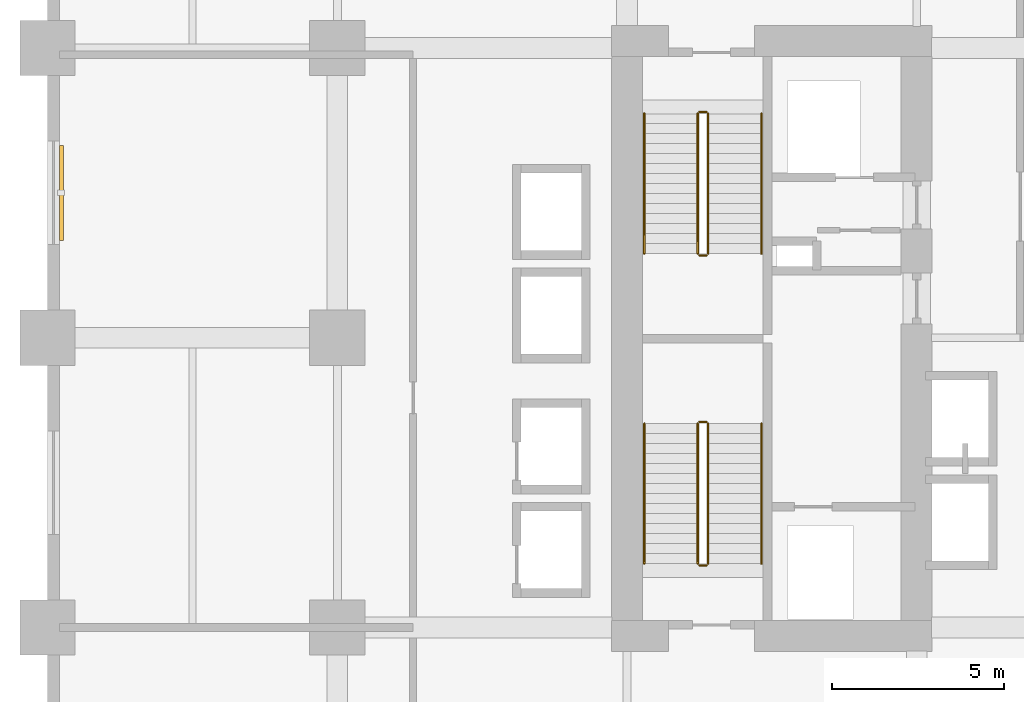
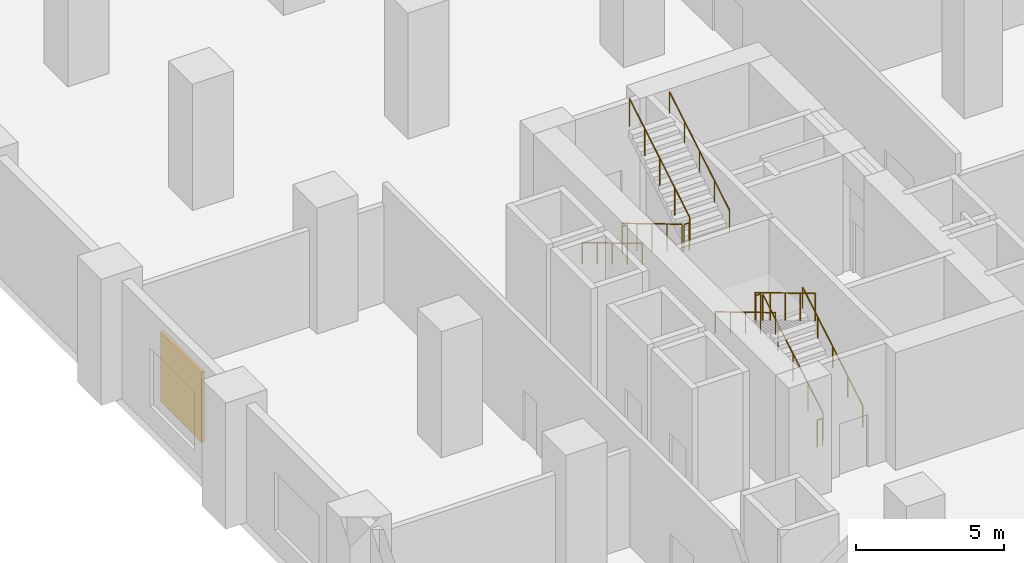
# One storey, part 18 of 19: 12 railings, 1 shading device.
"""IFC4 building model written with IfcOpenShell, lengths in metres."""

from ifc_helpers import new_model, si_unit, direction, frame, origin, origin_2d, place, context, subcontext, project, spatial, rectangle, circle, extrude, material, layer, layer_set, type_object, element, save


model = new_model("IFC4")

# Units and contexts
model_context = context("Model", 3, precision=1e-05, world=origin(), true_north=direction((0.0, 1.0)))
body_context = subcontext(model_context, "Body", "Model", "MODEL_VIEW")
ifc_project = project(units=[si_unit("LENGTHUNIT", "METRE"), si_unit("AREAUNIT", "SQUARE_METRE"), si_unit("VOLUMEUNIT", "CUBIC_METRE"), si_unit("PLANEANGLEUNIT", "RADIAN"), si_unit("MASSUNIT", "GRAM", prefix="KILO")], contexts=[model_context])

# Site, building, storey
site_placement = place(None, origin())
site = spatial("IfcSite", under=ifc_project, at=site_placement, CompositionType="ELEMENT")
building_placement = place(site_placement, origin())
building = spatial("IfcBuilding", under=site, at=building_placement, Name="Koriwani Terraces Tower", CompositionType="ELEMENT")
storey_placement = place(building_placement, frame((0.0, 0.0, 15.60009765625)))
storey = spatial("IfcBuildingStorey", under=building, at=storey_placement, Name="L03", CompositionType="ELEMENT", Elevation=15.60009765625)

# Railings
ifc_material_1 = material(Name="Steel ASTM A572 Grade 50", Category="steel")
railing_type_1 = type_object("IfcRailingType", Name="GUARD_STAIR_WELL_1120", PredefinedType="GUARDRAIL", material=ifc_material_1)
railing_1_placement = place(storey_placement, frame((19.14990234375, 43.85009765625, 0.17333984375)))
element("IfcRailing", 1, at=railing_1_placement, inside=storey, type_object=railing_type_1, Name="L03 ST-W1 stair guard 1", PredefinedType="GUARDRAIL", context=body_context, shape_type="SweptSolid", body=[
    extrude(circle(Radius=0.02392578125, at=origin_2d()), frame((0.0, 0.0, 1.1259765625), z_axis=(0.0, 0.858366167383, 0.513037545109), x_axis=(-1.0, 0.0, 0.0)), (0.0, 0.0, 1.0), 4.729736328125),
    extrude(circle(Radius=0.02099609375, at=origin_2d()), origin(), (0.0, 0.0, 1.0), 1.101806640625),
    extrude(circle(Radius=0.02099609375, at=origin_2d()), frame((0.0, 1.014892578125, 0.606689453125)), (0.0, 0.0, 1.0), 1.101806640625),
    extrude(circle(Radius=0.02099609375, at=origin_2d()), frame((0.0, 2.02978515625, 1.21337890625)), (0.0, 0.0, 1.0), 1.101806640625),
    extrude(circle(Radius=0.02099609375, at=origin_2d()), frame((0.0, 3.044921875, 1.81982421875)), (0.0, 0.0, 1.0), 1.101806640625),
    extrude(circle(Radius=0.02099609375, at=origin_2d()), frame((0.0, 4.059814453125, 2.426513671875)), (0.0, 0.0, 1.0), 1.101806640625),
])
railing_2_placement = place(storey_placement, frame((19.10009765625, 47.9599609375, 2.599853515625)))
element("IfcRailing", 2, at=railing_2_placement, inside=storey, type_object=railing_type_1, Name="L03 ST-W1 stair guard 2", PredefinedType="GUARDRAIL", context=body_context, shape_type="SweptSolid", body=[
    extrude(circle(Radius=0.02392578125, at=origin_2d()), frame((0.0, 0.0, 1.1259765625), z_axis=(-1.0, 0.0, 0.0), x_axis=(0.0, -1.0, 0.0)), (0.0, 0.0, 1.0), 0.2001953125),
    extrude(circle(Radius=0.02099609375, at=origin_2d()), origin(), (0.0, 0.0, 1.0), 1.101806640625),
    extrude(circle(Radius=0.02099609375, at=origin_2d()), frame((-0.2001953125, 0.0, 0.0)), (0.0, 0.0, 1.0), 1.101806640625),
])
railing_3_placement = place(storey_placement, frame((18.85009765625, 47.909912109375, 2.773193359375)))
element("IfcRailing", 3, at=railing_3_placement, inside=storey, type_object=railing_type_1, Name="L03 ST-W1 stair guard 3", PredefinedType="GUARDRAIL", context=body_context, shape_type="SweptSolid", body=[
    extrude(circle(Radius=0.02392578125, at=origin_2d()), frame((0.0, 0.0, 1.1259765625), z_axis=(0.0, -0.858343435637, 0.513075575815), x_axis=(1.0, 0.0, 0.0)), (0.0, 0.0, 1.0), 4.729736328125),
    extrude(circle(Radius=0.02099609375, at=origin_2d()), origin(), (0.0, 0.0, 1.0), 1.101806640625),
    extrude(circle(Radius=0.02099609375, at=origin_2d()), frame((0.0, -1.014892578125, 0.606689453125)), (0.0, 0.0, 1.0), 1.101806640625),
    extrude(circle(Radius=0.02099609375, at=origin_2d()), frame((0.0, -2.02978515625, 1.21337890625)), (0.0, 0.0, 1.0), 1.101806640625),
    extrude(circle(Radius=0.02099609375, at=origin_2d()), frame((0.0, -3.044921875, 1.820068359375)), (0.0, 0.0, 1.0), 1.101806640625),
    extrude(circle(Radius=0.02099609375, at=origin_2d()), frame((0.0, -4.059814453125, 2.4267578125)), (0.0, 0.0, 1.0), 1.101806640625),
])
railing_4_placement = place(storey_placement, frame((19.10009765625, 43.800048828125, 0.0)))
element("IfcRailing", 4, at=railing_4_placement, inside=storey, type_object=railing_type_1, Name="L03 ST-W1 stair guard 4", PredefinedType="GUARDRAIL", context=body_context, shape_type="SweptSolid", body=[
    extrude(circle(Radius=0.02392578125, at=origin_2d()), frame((0.0, 0.0, 1.1259765625), z_axis=(-1.0, 0.0, 0.0), x_axis=(0.0, -1.0, 0.0)), (0.0, 0.0, 1.0), 0.2001953125),
    extrude(circle(Radius=0.02099609375, at=origin_2d()), origin(), (0.0, 0.0, 1.0), 1.101806640625),
    extrude(circle(Radius=0.02099609375, at=origin_2d()), frame((-0.2001953125, 0.0, 0.0)), (0.0, 0.0, 1.0), 1.101806640625),
])
railing_5_placement = place(storey_placement, frame((18.85009765625, 56.89990234375, 0.17333984375)))
element("IfcRailing", 5, at=railing_5_placement, inside=storey, type_object=railing_type_1, Name="L03 ST-W2 stair guard 1", PredefinedType="GUARDRAIL", context=body_context, shape_type="SweptSolid", body=[
    extrude(circle(Radius=0.02392578125, at=origin_2d()), frame((0.0, 0.0, 1.1259765625), z_axis=(0.0, -0.858366167383, 0.513037545109), x_axis=(1.0, 0.0, 0.0)), (0.0, 0.0, 1.0), 4.729736328125),
    extrude(circle(Radius=0.02099609375, at=origin_2d()), origin(), (0.0, 0.0, 1.0), 1.101806640625),
    extrude(circle(Radius=0.02099609375, at=origin_2d()), frame((0.0, -1.014892578125, 0.606689453125)), (0.0, 0.0, 1.0), 1.101806640625),
    extrude(circle(Radius=0.02099609375, at=origin_2d()), frame((0.0, -2.02978515625, 1.21337890625)), (0.0, 0.0, 1.0), 1.101806640625),
    extrude(circle(Radius=0.02099609375, at=origin_2d()), frame((0.0, -3.044921875, 1.81982421875)), (0.0, 0.0, 1.0), 1.101806640625),
    extrude(circle(Radius=0.02099609375, at=origin_2d()), frame((0.0, -4.059814453125, 2.426513671875)), (0.0, 0.0, 1.0), 1.101806640625),
])
railing_6_placement = place(storey_placement, frame((18.89990234375, 52.7900390625, 2.599853515625)))
element("IfcRailing", 6, at=railing_6_placement, inside=storey, type_object=railing_type_1, Name="L03 ST-W2 stair guard 2", PredefinedType="GUARDRAIL", context=body_context, shape_type="SweptSolid", body=[
    extrude(circle(Radius=0.02392578125, at=origin_2d()), frame((0.0, 0.0, 1.1259765625), z_axis=(1.0, 0.0, 0.0), x_axis=(0.0, 1.0, 0.0)), (0.0, 0.0, 1.0), 0.2001953125),
    extrude(circle(Radius=0.02099609375, at=origin_2d()), origin(), (0.0, 0.0, 1.0), 1.101806640625),
    extrude(circle(Radius=0.02099609375, at=origin_2d()), frame((0.2001953125, 0.0, 0.0)), (0.0, 0.0, 1.0), 1.101806640625),
])
railing_7_placement = place(storey_placement, frame((19.14990234375, 52.840087890625, 2.773193359375)))
element("IfcRailing", 7, at=railing_7_placement, inside=storey, type_object=railing_type_1, Name="L03 ST-W2 stair guard 3", PredefinedType="GUARDRAIL", context=body_context, shape_type="SweptSolid", body=[
    extrude(circle(Radius=0.02392578125, at=origin_2d()), frame((0.0, 0.0, 1.1259765625), z_axis=(0.0, 0.858343435637, 0.513075575815), x_axis=(-1.0, 0.0, 0.0)), (0.0, 0.0, 1.0), 4.729736328125),
    extrude(circle(Radius=0.02099609375, at=origin_2d()), origin(), (0.0, 0.0, 1.0), 1.101806640625),
    extrude(circle(Radius=0.02099609375, at=origin_2d()), frame((0.0, 1.014892578125, 0.606689453125)), (0.0, 0.0, 1.0), 1.101806640625),
    extrude(circle(Radius=0.02099609375, at=origin_2d()), frame((0.0, 2.02978515625, 1.21337890625)), (0.0, 0.0, 1.0), 1.101806640625),
    extrude(circle(Radius=0.02099609375, at=origin_2d()), frame((0.0, 3.044921875, 1.820068359375)), (0.0, 0.0, 1.0), 1.101806640625),
    extrude(circle(Radius=0.02099609375, at=origin_2d()), frame((0.0, 4.059814453125, 2.4267578125)), (0.0, 0.0, 1.0), 1.101806640625),
])
railing_8_placement = place(storey_placement, frame((18.89990234375, 56.949951171875, 0.0)))
element("IfcRailing", 8, at=railing_8_placement, inside=storey, type_object=railing_type_1, Name="L03 ST-W2 stair guard 4", PredefinedType="GUARDRAIL", context=body_context, shape_type="SweptSolid", body=[
    extrude(circle(Radius=0.02392578125, at=origin_2d()), frame((0.0, 0.0, 1.1259765625), z_axis=(1.0, 0.0, 0.0), x_axis=(0.0, 1.0, 0.0)), (0.0, 0.0, 1.0), 0.2001953125),
    extrude(circle(Radius=0.02099609375, at=origin_2d()), origin(), (0.0, 0.0, 1.0), 1.101806640625),
    extrude(circle(Radius=0.02099609375, at=origin_2d()), frame((0.2001953125, 0.0, 0.0)), (0.0, 0.0, 1.0), 1.101806640625),
])
railing_type_2 = type_object("IfcRailingType", Name="HANDRAIL_STAIR_920", PredefinedType="HANDRAIL", material=ifc_material_1)
railing_9_placement = place(storey_placement, frame((20.699951171875, 43.85009765625, 0.17333984375)))
element("IfcRailing", 9, at=railing_9_placement, inside=storey, type_object=railing_type_2, Name="L03 ST-W1 stair handrail 1", PredefinedType="HANDRAIL", context=body_context, shape_type="SweptSolid", body=[
    extrude(circle(Radius=0.02392578125, at=origin_2d()), frame((0.0, 0.0, 0.8759765625), z_axis=(0.0, 0.858366167383, 0.513037545109), x_axis=(-1.0, 0.0, 0.0)), (0.0, 0.0, 1.0), 4.729736328125),
    extrude(circle(Radius=0.02099609375, at=origin_2d()), origin(), (0.0, 0.0, 1.0), 0.851806640625),
    extrude(circle(Radius=0.02099609375, at=origin_2d()), frame((0.0, 1.014892578125, 0.606689453125)), (0.0, 0.0, 1.0), 0.851806640625),
    extrude(circle(Radius=0.02099609375, at=origin_2d()), frame((0.0, 2.02978515625, 1.21337890625)), (0.0, 0.0, 1.0), 0.851806640625),
    extrude(circle(Radius=0.02099609375, at=origin_2d()), frame((0.0, 3.044921875, 1.81982421875)), (0.0, 0.0, 1.0), 0.851806640625),
    extrude(circle(Radius=0.02099609375, at=origin_2d()), frame((0.0, 4.059814453125, 2.426513671875)), (0.0, 0.0, 1.0), 0.851806640625),
])
railing_10_placement = place(storey_placement, frame((17.300048828125, 47.909912109375, 2.773193359375)))
element("IfcRailing", 10, at=railing_10_placement, inside=storey, type_object=railing_type_2, Name="L03 ST-W1 stair handrail 2", PredefinedType="HANDRAIL", context=body_context, shape_type="SweptSolid", body=[
    extrude(circle(Radius=0.02392578125, at=origin_2d()), frame((0.0, 0.0, 0.8759765625), z_axis=(0.0, -0.858343435637, 0.513075575815), x_axis=(1.0, 0.0, 0.0)), (0.0, 0.0, 1.0), 4.729736328125),
    extrude(circle(Radius=0.02099609375, at=origin_2d()), origin(), (0.0, 0.0, 1.0), 0.851806640625),
    extrude(circle(Radius=0.02099609375, at=origin_2d()), frame((0.0, -1.014892578125, 0.606689453125)), (0.0, 0.0, 1.0), 0.851806640625),
    extrude(circle(Radius=0.02099609375, at=origin_2d()), frame((0.0, -2.02978515625, 1.21337890625)), (0.0, 0.0, 1.0), 0.851806640625),
    extrude(circle(Radius=0.02099609375, at=origin_2d()), frame((0.0, -3.044921875, 1.820068359375)), (0.0, 0.0, 1.0), 0.851806640625),
    extrude(circle(Radius=0.02099609375, at=origin_2d()), frame((0.0, -4.059814453125, 2.4267578125)), (0.0, 0.0, 1.0), 0.851806640625),
])
railing_11_placement = place(storey_placement, frame((17.300048828125, 56.89990234375, 0.17333984375)))
element("IfcRailing", 11, at=railing_11_placement, inside=storey, type_object=railing_type_2, Name="L03 ST-W2 stair handrail 1", PredefinedType="HANDRAIL", context=body_context, shape_type="SweptSolid", body=[
    extrude(circle(Radius=0.02392578125, at=origin_2d()), frame((0.0, 0.0, 0.8759765625), z_axis=(0.0, -0.858366167383, 0.513037545109), x_axis=(1.0, 0.0, 0.0)), (0.0, 0.0, 1.0), 4.729736328125),
    extrude(circle(Radius=0.02099609375, at=origin_2d()), origin(), (0.0, 0.0, 1.0), 0.851806640625),
    extrude(circle(Radius=0.02099609375, at=origin_2d()), frame((0.0, -1.014892578125, 0.606689453125)), (0.0, 0.0, 1.0), 0.851806640625),
    extrude(circle(Radius=0.02099609375, at=origin_2d()), frame((0.0, -2.02978515625, 1.21337890625)), (0.0, 0.0, 1.0), 0.851806640625),
    extrude(circle(Radius=0.02099609375, at=origin_2d()), frame((0.0, -3.044921875, 1.81982421875)), (0.0, 0.0, 1.0), 0.851806640625),
    extrude(circle(Radius=0.02099609375, at=origin_2d()), frame((0.0, -4.059814453125, 2.426513671875)), (0.0, 0.0, 1.0), 0.851806640625),
])
railing_12_placement = place(storey_placement, frame((20.699951171875, 52.840087890625, 2.773193359375)))
element("IfcRailing", 12, at=railing_12_placement, inside=storey, type_object=railing_type_2, Name="L03 ST-W2 stair handrail 2", PredefinedType="HANDRAIL", context=body_context, shape_type="SweptSolid", body=[
    extrude(circle(Radius=0.02392578125, at=origin_2d()), frame((0.0, 0.0, 0.8759765625), z_axis=(0.0, 0.858343435637, 0.513075575815), x_axis=(-1.0, 0.0, 0.0)), (0.0, 0.0, 1.0), 4.729736328125),
    extrude(circle(Radius=0.02099609375, at=origin_2d()), origin(), (0.0, 0.0, 1.0), 0.851806640625),
    extrude(circle(Radius=0.02099609375, at=origin_2d()), frame((0.0, 1.014892578125, 0.606689453125)), (0.0, 0.0, 1.0), 0.851806640625),
    extrude(circle(Radius=0.02099609375, at=origin_2d()), frame((0.0, 2.02978515625, 1.21337890625)), (0.0, 0.0, 1.0), 0.851806640625),
    extrude(circle(Radius=0.02099609375, at=origin_2d()), frame((0.0, 3.044921875, 1.820068359375)), (0.0, 0.0, 1.0), 0.851806640625),
    extrude(circle(Radius=0.02099609375, at=origin_2d()), frame((0.0, 4.059814453125, 2.4267578125)), (0.0, 0.0, 1.0), 0.851806640625),
])

# Shading device
ifc_material_2 = material(Name="Extruded Terracotta Clay", Category="masonry")
ifc_layer = layer(ifc_material_2, 0.1201171875, Name="Extruded Terracotta Clay")
ifc_layer_set = layer_set([ifc_layer], Name="Extruded Terracotta Clay")
shading_device_type = type_object("IfcShadingDeviceType", Name="TERRACOTTA_BAGUETTE_SCREEN_2800", PredefinedType="USERDEFINED", material=ifc_layer_set)
shading_device_placement = place(storey_placement, frame((0.405029296875, 54.60009765625, 0.974853515625), z_axis=(0.0, 0.0, 1.0), x_axis=(0.0, 1.0, 0.0)))
element("IfcShadingDevice", 13, at=shading_device_placement, inside=storey, type_object=shading_device_type, Name="L03 Extruded Terracotta Baguette Screen (W-18)", ObjectType="BAGUETTE", PredefinedType="USERDEFINED", context=body_context, shape_type="SweptSolid", body=[
    extrude(rectangle(XDim=2.760009765625, YDim=0.1201171875, at=origin_2d()), origin(), (0.0, 0.0, 1.0), 2.89990234375),
])

save(model, "model.ifc")
